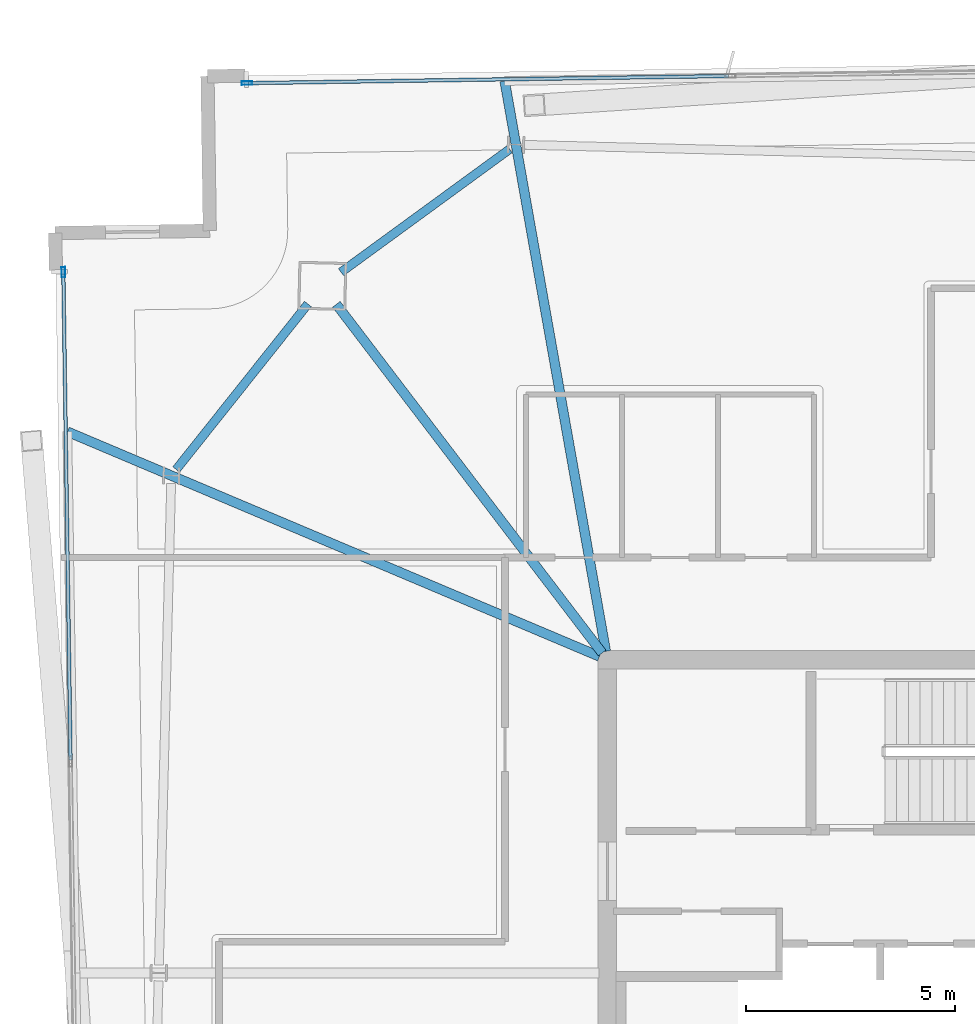
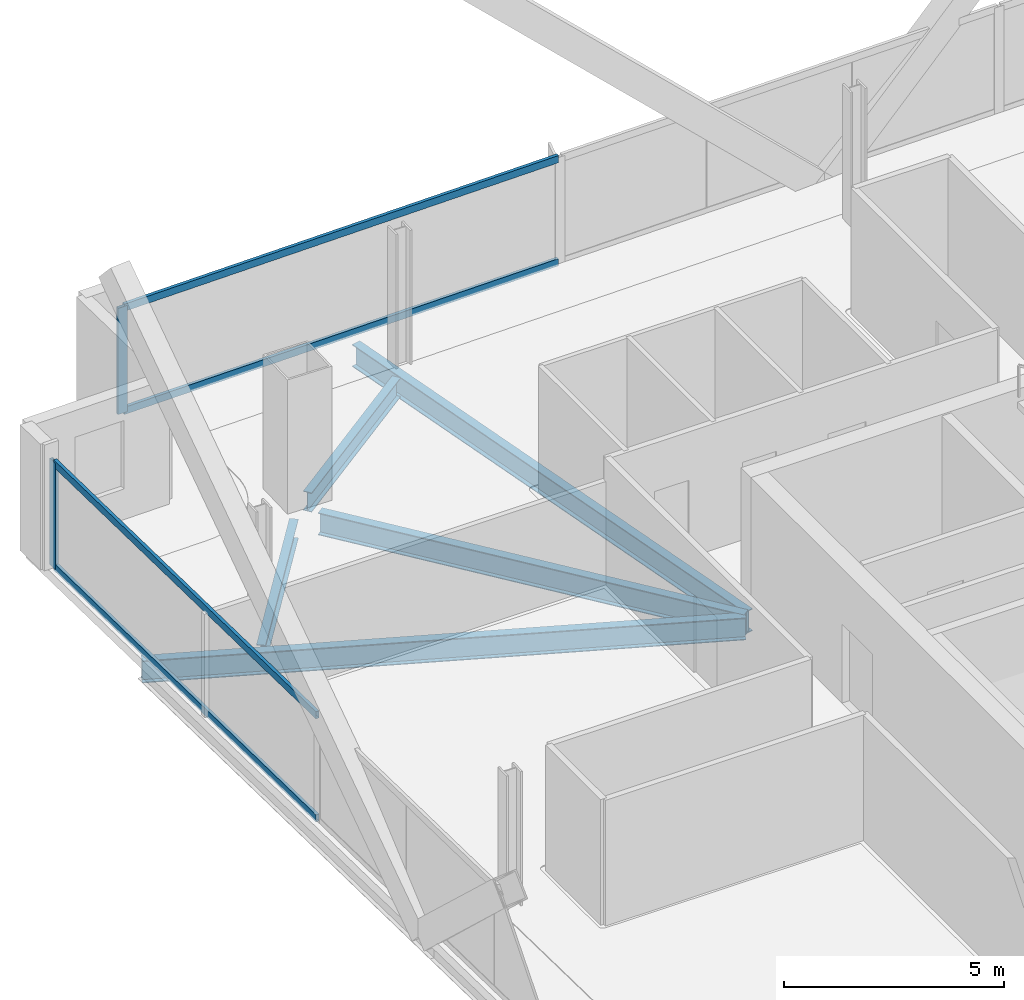
# One storey, part 14 of 25: 6 members, 5 beams, 2 elements without a shape of their own.
"""IFC4 building model written with IfcOpenShell, lengths in metres."""

from ifc_helpers import new_model, si_unit, direction, frame, origin, origin_2d, place, context, subcontext, project, spatial, hollow_rectangle, i_section, extrude, material, material_profile, profile_set, type_object, element, aggregate, save


model = new_model("IFC4")

# Units and contexts
model_context = context("Model", 3, precision=1e-05, world=origin(), true_north=direction((0.0, 1.0)))
body_context = subcontext(model_context, "Body", "Model", "MODEL_VIEW")
ifc_project = project(units=[si_unit("LENGTHUNIT", "METRE"), si_unit("AREAUNIT", "SQUARE_METRE"), si_unit("VOLUMEUNIT", "CUBIC_METRE"), si_unit("PLANEANGLEUNIT", "RADIAN"), si_unit("MASSUNIT", "GRAM", prefix="KILO")], contexts=[model_context])

# Site, building, storey
site_placement = place(None, origin())
site = spatial("IfcSite", under=ifc_project, at=site_placement, CompositionType="ELEMENT")
building_placement = place(site_placement, origin())
building = spatial("IfcBuilding", under=site, at=building_placement, Name="Haldenkirk Collegiate Tower", CompositionType="ELEMENT")
storey_placement = place(building_placement, frame((0.0, 0.0, 332.699951171875)))
storey = spatial("IfcBuildingStorey", under=building, at=storey_placement, Name="L84", CompositionType="ELEMENT", Elevation=332.699951171875)

# Beams
ifc_material_1 = material(Name="Steel ASTM A992 Grade 50", Category="steel")
ifc_material_profile_1 = material_profile(ifc_material_1, i_section(OverallWidth=0.22998046875, OverallDepth=0.616943359375, WebThickness=0.01318359375, FlangeThickness=0.022216796875, at=origin_2d()), Name="W24X94")
ifc_profile_set_1 = profile_set([ifc_material_profile_1], Name="Steel ASTM A992 Grade 50")
beam_type_1 = type_object("IfcBeamType", Name="BM-GIRDER-W24X94", PredefinedType="BEAM", material=ifc_profile_set_1)
beam_1_placement = place(storey_placement, frame((20.510498046875, 42.514404296875, -0.568359375), z_axis=(0.606183308444, -0.79532496287, 0.0), x_axis=(0.79532496287, 0.606183308444, 0.0)))
element("IfcBeam", 1, at=beam_1_placement, inside=storey, type_object=beam_type_1, Name="L84 primary floor girder 03", PredefinedType="BEAM", context=body_context, shape_type="SweptSolid", body=[
    extrude(i_section(OverallWidth=0.22998046875, OverallDepth=0.616943359375, WebThickness=0.01318359375, FlangeThickness=0.022216796875, at=origin_2d()), origin(), (0.0, 0.0, 1.0), 10.50048828125),
])
beam_2_placement = place(storey_placement, frame((24.541015625, 47.8623046875, -0.568359375), z_axis=(0.174654627144, -0.984629758446, 0.0), x_axis=(0.984629758446, 0.174654627144, 0.0)))
element("IfcBeam", 2, at=beam_2_placement, inside=storey, type_object=beam_type_1, Name="L84 primary floor girder 10", PredefinedType="BEAM", context=body_context, shape_type="SweptSolid", body=[
    extrude(i_section(OverallWidth=0.22998046875, OverallDepth=0.616943359375, WebThickness=0.01318359375, FlangeThickness=0.022216796875, at=origin_2d()), origin(), (0.0, 0.0, 1.0), 13.87353515625),
])
beam_3_placement = place(storey_placement, frame((14.06787109375, 39.464111328125, -0.568359375), z_axis=(0.921152988849, -0.38920068234, 0.0), x_axis=(0.38920068234, 0.921152988849, 0.0)))
element("IfcBeam", 3, at=beam_3_placement, inside=storey, type_object=beam_type_1, Name="L84 primary floor girder 11", PredefinedType="BEAM", context=body_context, shape_type="SweptSolid", body=[
    extrude(i_section(OverallWidth=0.22998046875, OverallDepth=0.616943359375, WebThickness=0.01318359375, FlangeThickness=0.022216796875, at=origin_2d()), origin(), (0.0, 0.0, 1.0), 13.834228515625),
])
ifc_material_profile_2 = material_profile(ifc_material_1, i_section(OverallWidth=0.2099609375, OverallDepth=0.537109375, WebThickness=0.010986328125, FlangeThickness=0.017333984375, at=origin_2d()), Name="W21X68")
ifc_profile_set_2 = profile_set([ifc_material_profile_2], Name="Steel ASTM A992 Grade 50")
beam_type_2 = type_object("IfcBeamType", Name="BM-SPANDREL-W21X68", PredefinedType="SPANDREL", material=ifc_profile_set_2)
beam_4_placement = place(storey_placement, frame((24.6591796875, 46.228759765625, -0.528564453125), z_axis=(-0.807792834001, -0.589466485338, 0.0), x_axis=(0.589466485338, -0.807792834001, 0.0)))
element("IfcBeam", 4, at=beam_4_placement, inside=storey, type_object=beam_type_2, Name="L84 perimeter spandrel beam 08", PredefinedType="SPANDREL", context=body_context, shape_type="SweptSolid", body=[
    extrude(i_section(OverallWidth=0.2099609375, OverallDepth=0.537109375, WebThickness=0.010986328125, FlangeThickness=0.017333984375, at=origin_2d()), origin(), (0.0, 0.0, 1.0), 4.997314453125),
])
beam_5_placement = place(storey_placement, frame((19.828369140625, 42.521484375, -0.528564453125), z_axis=(-0.622694005585, -0.782465446783, 0.0), x_axis=(0.782465446783, -0.622694005585, 0.0)))
element("IfcBeam", 5, at=beam_5_placement, inside=storey, type_object=beam_type_2, Name="L84 perimeter spandrel beam 09", PredefinedType="SPANDREL", context=body_context, shape_type="SweptSolid", body=[
    extrude(i_section(OverallWidth=0.2099609375, OverallDepth=0.537109375, WebThickness=0.010986328125, FlangeThickness=0.017333984375, at=origin_2d()), origin(), (0.0, 0.0, 1.0), 5.06396484375),
])

# Curtain wall, member
ifc_material_2 = material(Name="Anodised architectural bronze aluminium", Category="aluminium")
curtain_wall_type = type_object("IfcCurtainWallType", Name="CW-SYS1B-CONVEX-HI", PredefinedType="USERDEFINED", material=ifc_material_2)
curtain_wall_1_placement = place(storey_placement, origin())
curtain_wall_1 = element("IfcCurtainWall", 6, at=curtain_wall_1_placement, inside=storey, type_object=curtain_wall_type, Name="L84 Upper tower high-wind convex bronze unitised curtain wall", ObjectType="UNITISED CURTAIN WALL", PredefinedType="USERDEFINED")
ifc_material_profile_3 = material_profile(ifc_material_2, hollow_rectangle(XDim=0.0849609375, YDim=0.25, WallThickness=0.0048828125, at=origin_2d()), Name="CW-MUL-1B")
ifc_profile_set_3 = profile_set([ifc_material_profile_3], Name="Anodised architectural bronze aluminium")
member_type_1 = type_object("IfcMemberType", Name="CW-MUL-1B", PredefinedType="MULLION", material=ifc_profile_set_3)
member_1_placement = place(storey_placement, frame((18.366943359375, 47.810791015625, 0.0), z_axis=(0.0, 0.0, 1.0), x_axis=(-0.014832959269, 0.999889985608, 0.0)))
member_1 = element("IfcMember", 7, at=member_1_placement, type_object=member_type_1, Name="CW-1B mullion 1", PredefinedType="MULLION", context=body_context, shape_type="SweptSolid", body=[
    extrude(hollow_rectangle(XDim=0.0849609375, YDim=0.25, WallThickness=0.0048828125, at=origin_2d()), origin(), (0.0, 0.0, 1.0), 2.947998046875),
])

curtain_wall_2_placement = place(storey_placement, origin())
curtain_wall_2 = element("IfcCurtainWall", 8, at=curtain_wall_2_placement, inside=storey, type_object=curtain_wall_type, Name="L84 Upper tower high-wind convex bronze unitised curtain wall", ObjectType="UNITISED CURTAIN WALL", PredefinedType="USERDEFINED")
member_2_placement = place(storey_placement, frame((13.97119140625, 43.28271484375, 0.0), z_axis=(0.0, 0.0, 1.0), x_axis=(-0.99988998696, -0.014832868138, 0.0)))
member_2 = element("IfcMember", 9, at=member_2_placement, type_object=member_type_1, Name="CW-1B mullion 4", PredefinedType="MULLION", context=body_context, shape_type="SweptSolid", body=[
    extrude(hollow_rectangle(XDim=0.0849609375, YDim=0.25, WallThickness=0.0048828125, at=origin_2d()), origin(), (0.0, 0.0, 1.0), 2.947998046875),
])

# Member
ifc_material_profile_4 = material_profile(ifc_material_2, hollow_rectangle(XDim=0.0849609375, YDim=0.199951171875, WallThickness=0.0048828125, at=origin_2d()), Name="CW-TRN-1B")
ifc_profile_set_4 = profile_set([ifc_material_profile_4], Name="Anodised architectural bronze aluminium")
member_type_2 = type_object("IfcMemberType", Name="CW-TRN-1B", PredefinedType="USERDEFINED", material=ifc_profile_set_4)
member_3_placement = place(storey_placement, frame((18.409423828125, 47.8115234375, 0.04248046875), z_axis=(0.999890157514, 0.01482136656, 0.0), x_axis=(-0.01482136656, 0.999890157514, 0.0)))
member_3 = element("IfcMember", 10, at=member_3_placement, type_object=member_type_2, Name="CW-1B transom 1.1", ObjectType="TRANSOM", PredefinedType="USERDEFINED", context=body_context, shape_type="SweptSolid", body=[
    extrude(hollow_rectangle(XDim=0.0849609375, YDim=0.199951171875, WallThickness=0.0048828125, at=origin_2d()), origin(), (0.0, 0.0, 1.0), 11.49755859375),
])

member_4_placement = place(storey_placement, frame((18.409423828125, 47.8115234375, 2.905517578125), z_axis=(0.999890157514, 0.01482136656, 0.0), x_axis=(-0.01482136656, 0.999890157514, 0.0)))
member_4 = element("IfcMember", 11, at=member_4_placement, type_object=member_type_2, Name="CW-1B transom 1.2", ObjectType="TRANSOM", PredefinedType="USERDEFINED", context=body_context, shape_type="SweptSolid", body=[
    extrude(hollow_rectangle(XDim=0.0849609375, YDim=0.199951171875, WallThickness=0.0048828125, at=origin_2d()), origin(), (0.0, 0.0, 1.0), 11.49755859375),
])

aggregate(curtain_wall_1, [member_1, member_3, member_4])

member_5_placement = place(storey_placement, frame((14.14453125, 31.602294921875, 0.04248046875), z_axis=(-0.014830121876, 0.999890027696, 0.0), x_axis=(-0.999890027696, -0.014830121876, 0.0)))
member_5 = element("IfcMember", 12, at=member_5_placement, type_object=member_type_2, Name="CW-1B transom 3.1", ObjectType="TRANSOM", PredefinedType="USERDEFINED", context=body_context, shape_type="SweptSolid", body=[
    extrude(hollow_rectangle(XDim=0.0849609375, YDim=0.199951171875, WallThickness=0.0048828125, at=origin_2d()), origin(), (0.0, 0.0, 1.0), 11.638916015625),
])

member_6_placement = place(storey_placement, frame((14.14453125, 31.602294921875, 2.905517578125), z_axis=(-0.014830121876, 0.999890027696, 0.0), x_axis=(-0.999890027696, -0.014830121876, 0.0)))
member_6 = element("IfcMember", 13, at=member_6_placement, type_object=member_type_2, Name="CW-1B transom 3.2", ObjectType="TRANSOM", PredefinedType="USERDEFINED", context=body_context, shape_type="SweptSolid", body=[
    extrude(hollow_rectangle(XDim=0.0849609375, YDim=0.199951171875, WallThickness=0.0048828125, at=origin_2d()), origin(), (0.0, 0.0, 1.0), 11.638916015625),
])

aggregate(curtain_wall_2, [member_2, member_5, member_6])

save(model, "model.ifc")
